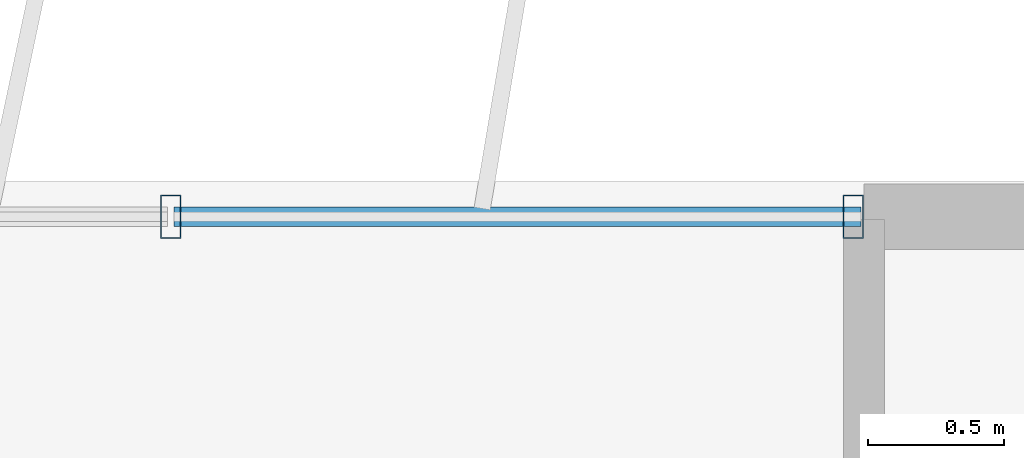
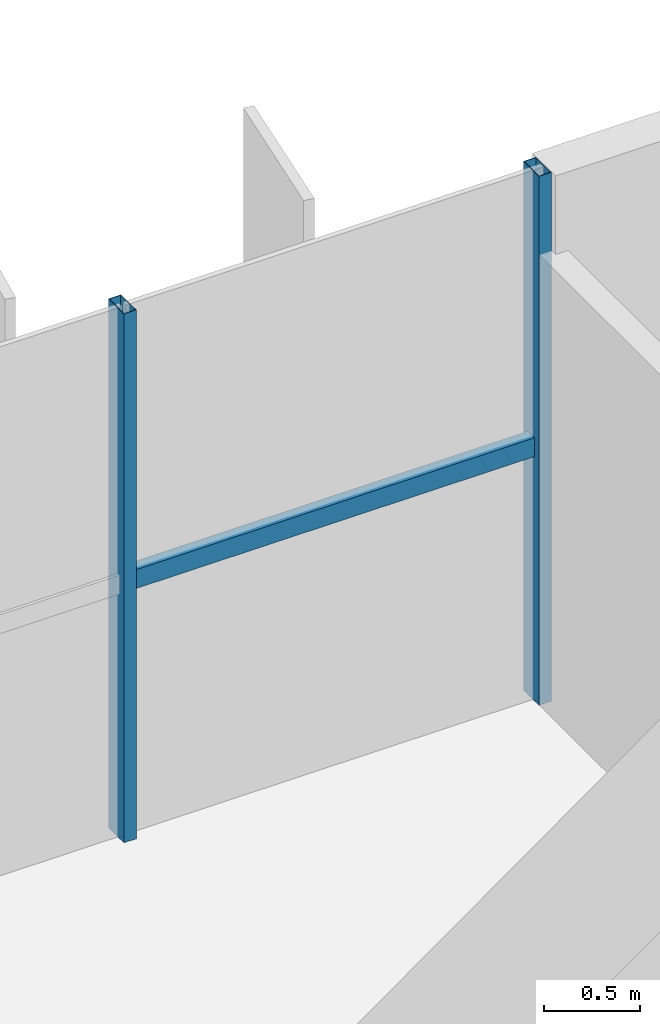
# One storey, part 14 of 22: 3 members, 1 element without a shape of its own.
"""IFC4 building model written with IfcOpenShell, lengths in metres."""

from ifc_helpers import new_model, si_unit, direction, frame, origin, origin_2d, place, context, subcontext, project, spatial, hollow_rectangle, extrude, source, transform, mapped, material, material_profile, profile_set, type_object, element, aggregate, save


model = new_model("IFC4")

# Units and contexts
model_context = context("Model", 3, precision=1e-05, world=origin(), true_north=direction((0.0, 1.0)))
body_context = subcontext(model_context, "Body", "Model", "MODEL_VIEW")
ifc_project = project(units=[si_unit("LENGTHUNIT", "METRE"), si_unit("AREAUNIT", "SQUARE_METRE"), si_unit("VOLUMEUNIT", "CUBIC_METRE"), si_unit("PLANEANGLEUNIT", "RADIAN"), si_unit("MASSUNIT", "GRAM", prefix="KILO")], contexts=[model_context])

# Site, building, storey
site_placement = place(None, origin())
site = spatial("IfcSite", under=ifc_project, at=site_placement, CompositionType="ELEMENT")
building_placement = place(site_placement, origin())
building = spatial("IfcBuilding", under=site, at=building_placement, Name="Trelvane Seafront Commons", CompositionType="ELEMENT")
storey_placement = place(building_placement, frame((0.0, 0.0, 281.10009765625)))
storey = spatial("IfcBuildingStorey", under=building, at=storey_placement, Name="L73", CompositionType="ELEMENT", Elevation=281.10009765625)

# Curtain wall, members
ifc_material = material(Name="Anodised pale-silver aluminium", Category="aluminium")
curtain_wall_type = type_object("IfcCurtainWallType", Name="ARCH-CW5-UPTOWER", PredefinedType="NOTDEFINED", material=ifc_material)
curtain_wall_placement = place(storey_placement, origin())
curtain_wall = element("IfcCurtainWall", 1, at=curtain_wall_placement, inside=storey, type_object=curtain_wall_type, Name="CW-L73-0117", PredefinedType="NOTDEFINED")
ifc_material_profile_1 = material_profile(ifc_material, hollow_rectangle(XDim=0.070068359375, YDim=0.1201171875, WallThickness=0.00390625, at=origin_2d()), Name="TRAN-70x120x4")
ifc_profile_set_1 = profile_set([ifc_material_profile_1], Name="Anodised pale-silver aluminium")
member_type_1 = type_object("IfcMemberType", Name="ARCH-CW-TRAN-120", PredefinedType="USERDEFINED", material=ifc_profile_set_1)
shared_shape_1 = source(origin(), body_context, "Body", "SweptSolid", [
    extrude(hollow_rectangle(XDim=0.070068359375, YDim=0.1201171875, WallThickness=0.00390625, at=origin_2d()), origin(), (0.0, 0.0, 1.0), 2.517333984375),
])
member_1_placement = place(storey_placement, frame((56.270751953125, 48.3701171875, 1.617919921875), z_axis=(1.0, 0.0, 0.0), x_axis=(0.0, 1.0, 0.0)))
member_1 = element("IfcMember", 2, at=member_1_placement, type_object=member_type_1, Name="CW-L73-0117-T16", ObjectType="TRANSOM", PredefinedType="USERDEFINED", context=body_context, shape_type="MappedRepresentation", body=[
    mapped(shared_shape_1, transform((0.0, 0.0, 0.0), x_axis=(1.0, 0.0, 0.0), y_axis=(0.0, 1.0, 0.0), z_axis=(0.0, 0.0, 1.0), scale=1.0)),
])
ifc_material_profile_2 = material_profile(ifc_material, hollow_rectangle(XDim=0.074951171875, YDim=0.159912109375, WallThickness=0.00390625, at=origin_2d()), Name="MULL-75x160x4")
ifc_profile_set_2 = profile_set([ifc_material_profile_2], Name="Anodised pale-silver aluminium")
member_type_2 = type_object("IfcMemberType", Name="ARCH-CW-MULL-160", PredefinedType="MULLION", material=ifc_profile_set_2)
shared_shape_2 = source(origin(), body_context, "Body", "SweptSolid", [
    extrude(hollow_rectangle(XDim=0.074951171875, YDim=0.159912109375, WallThickness=0.00390625, at=origin_2d()), origin(), (0.0, 0.0, 1.0), 3.369873046875),
])
member_2_placement = place(storey_placement, frame((56.2587890625, 48.3701171875, 0.0), z_axis=(0.0, 0.0, 1.0), x_axis=(1.0, 0.0, 0.0)))
member_2 = element("IfcMember", 3, at=member_2_placement, type_object=member_type_2, Name="CW-L73-0117-M16", PredefinedType="MULLION", context=body_context, shape_type="MappedRepresentation", body=[
    mapped(shared_shape_2, transform((0.0, 0.0, 0.0), x_axis=(1.0, 0.0, 0.0), y_axis=(0.0, 1.0, 0.0), z_axis=(0.0, 0.0, 1.0), scale=1.0)),
])
member_3_placement = place(storey_placement, frame((58.760009765625, 48.3701171875, 0.0), z_axis=(0.0, 0.0, 1.0), x_axis=(1.0, 0.0, 0.0)))
member_3 = element("IfcMember", 4, at=member_3_placement, type_object=member_type_2, Name="CW-L73-0117-M17", PredefinedType="MULLION", context=body_context, shape_type="MappedRepresentation", body=[
    mapped(shared_shape_2, transform((0.0, 0.0, 0.0), x_axis=(1.0, 0.0, 0.0), y_axis=(0.0, 1.0, 0.0), z_axis=(0.0, 0.0, 1.0), scale=1.0)),
])
aggregate(curtain_wall, [member_2, member_3, member_1])

save(model, "model.ifc")
